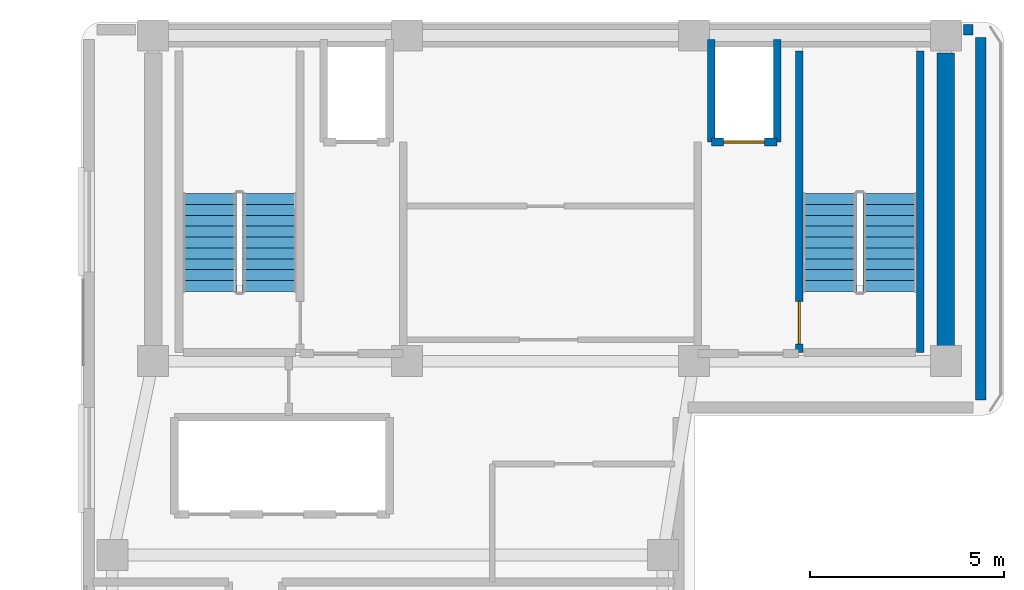
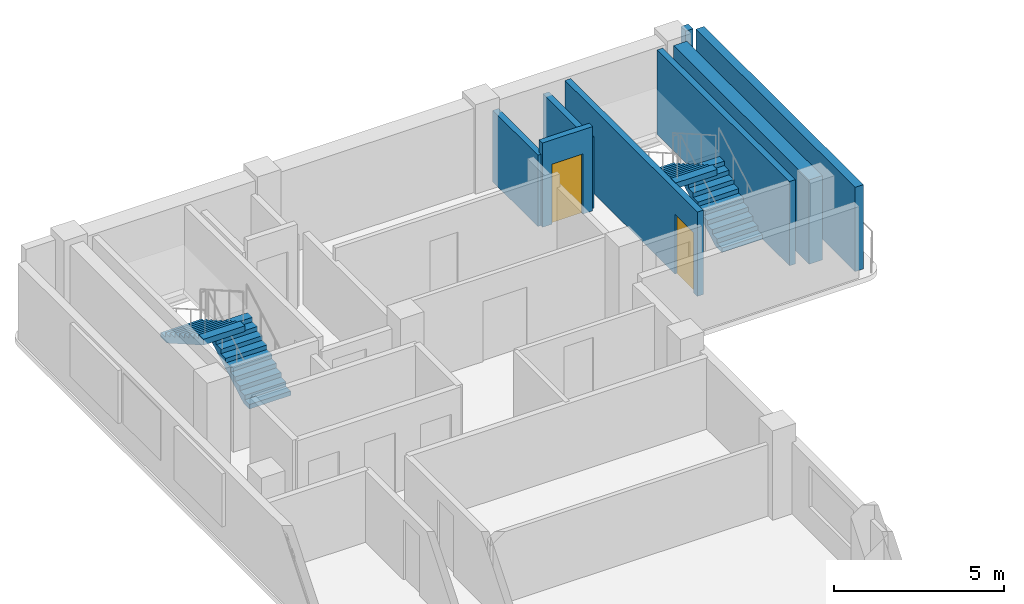
# One storey, part 9 of 11: 8 walls, 4 stair flights, 2 doors, 2 openings, 2 elements without a shape of their own.
"""IFC4 building model written with IfcOpenShell, lengths in metres."""

from ifc_helpers import new_model, si_unit, direction, frame, frame_2d, origin, place, context, subcontext, project, spatial, polyline, rectangle, outline, extrude, material, layer, layer_set, type_object, element, fill, aggregate, save


model = new_model("IFC4")

# Units and contexts
model_context = context("Model", 3, precision=1e-05, world=origin(), true_north=direction((0.0, 1.0)))
body_context = subcontext(model_context, "Body", "Model", "MODEL_VIEW")
ifc_project = project(units=[si_unit("LENGTHUNIT", "METRE"), si_unit("AREAUNIT", "SQUARE_METRE"), si_unit("VOLUMEUNIT", "CUBIC_METRE"), si_unit("PLANEANGLEUNIT", "RADIAN"), si_unit("MASSUNIT", "GRAM", prefix="KILO")], contexts=[model_context])

# Site, building, storey
site_placement = place(None, origin())
site = spatial("IfcSite", under=ifc_project, at=site_placement, CompositionType="ELEMENT")
building_placement = place(site_placement, origin())
building = spatial("IfcBuilding", under=site, at=building_placement, Name="Kuzgunbayir Cultural Tower", CompositionType="ELEMENT")
storey_placement = place(building_placement, frame((0.0, 0.0, 244.0)))
storey = spatial("IfcBuildingStorey", under=building, at=storey_placement, Name="L72", CompositionType="ELEMENT", Elevation=244.0)

# Walls
ifc_material_1 = material(Name="Concrete C50/60", Category="concrete")
ifc_layer_1 = layer(ifc_material_1, 0.449951171875)
ifc_layer_set_1 = layer_set([ifc_layer_1], Name="Concrete C50/60")
wall_type_1 = type_object("IfcWallType", Name="WAL-CORE-450", PredefinedType="SHEAR", material=ifc_layer_set_1)
wall_1_placement = place(storey_placement, frame((26.89990234375, 33.800048828125, 0.0), z_axis=(0.0, 0.0, 1.0), x_axis=(0.0, 1.0, 0.0)))
element("IfcWall", 1, at=wall_1_placement, inside=storey, type_object=wall_type_1, Name="L72 T1 Core East Shear Wall", PredefinedType="SHEAR", context=body_context, shape_type="SweptSolid", body=[
    extrude(rectangle(XDim=7.949951171875, YDim=0.449951171875, at=frame_2d((3.97509765625, 0.0))), origin(), (0.0, 0.0, 1.0), 3.02001953125),
])
ifc_material_2 = material(Name="Anatolian Cream Limestone", Category="masonry")
ifc_layer_2 = layer(ifc_material_2, 0.280029296875)
ifc_layer_set_2 = layer_set([ifc_layer_2], Name="Anatolian Cream Limestone")
wall_type_2 = type_object("IfcWallType", Name="WAL-EXT-STONE-280", PredefinedType="STANDARD", material=ifc_layer_set_2)
wall_2_placement = place(storey_placement, frame((27.60009765625, 42.35009765625, 0.0), z_axis=(0.0, 0.0, 1.0), x_axis=(-1.0, 0.0, 0.0)))
element("IfcWall", 2, at=wall_2_placement, inside=storey, type_object=wall_type_2, Name="L72 North Wing B Limestone Wall", PredefinedType="STANDARD", context=body_context, shape_type="SweptSolid", body=[
    extrude(rectangle(XDim=0.25, YDim=0.280029296875, at=frame_2d((0.125, 0.0))), origin(), (0.0, 0.0, 1.0), 3.02001953125),
])
wall_3_placement = place(storey_placement, frame((27.800048828125, 32.800048828125, 0.0), z_axis=(0.0, 0.0, 1.0), x_axis=(0.0, 1.0, 0.0)))
element("IfcWall", 3, at=wall_3_placement, inside=storey, type_object=wall_type_2, Name="L72 Rear Core East Limestone Wall", PredefinedType="STANDARD", context=body_context, shape_type="SweptSolid", body=[
    extrude(rectangle(XDim=9.349853515625, YDim=0.280029296875, at=frame_2d((4.6748046875, 0.0))), origin(), (0.0, 0.0, 1.0), 3.02001953125),
])

# Wall, opening, door
ifc_material_3 = material(Name="Concrete C40/50", Category="concrete")
ifc_layer_3 = layer(ifc_material_3, 0.199951171875)
ifc_layer_set_3 = layer_set([ifc_layer_3], Name="Concrete C40/50")
wall_type_3 = type_object("IfcWallType", Name="WAL-SHAFT-200", PredefinedType="MOVABLE", material=ifc_layer_set_3)
wall_4_placement = place(storey_placement, frame((20.85009765625, 39.449951171875, 0.0), z_axis=(0.0, 0.0, 1.0), x_axis=(1.0, 0.0, 0.0)))
wall_4 = element("IfcWall", 4, at=wall_4_placement, inside=storey, type_object=wall_type_3, Name="L72 FFL-2 Lift Front Wall", PredefinedType="MOVABLE", context=body_context, shape_type="SweptSolid", body=[
    extrude(rectangle(XDim=1.699951171875, YDim=0.199951171875, at=frame_2d((0.85009765625, 0.0))), origin(), (0.0, 0.0, 1.0), 3.02001953125),
])
opening_1_placement = place(wall_4_placement, frame((0.320068359375, 0.0, 0.0)))
opening_1 = element("IfcOpeningElement", 5, at=opening_1_placement, cuts=wall_4, Name="Opening LD", PredefinedType="OPENING", context=body_context, shape_type="SweptSolid", body=[
    extrude(rectangle(XDim=1.050048828125, YDim=2.14990234375, at=frame_2d((0.52490234375, 1.074951171875))), frame((0.0, 0.10986328125, 0.0), z_axis=(0.0, -1.0, 0.0), x_axis=(1.0, 0.0, 0.0)), (0.0, 0.0, 1.0), 0.219970703125),
])
ifc_material_4 = material(Name="Brushed Stainless Steel", Category="steel")
door_type_1 = type_object("IfcDoorType", Name="DR-LIFT-LANDING", OperationType="SLIDING_TO_LEFT", PredefinedType="DOOR", material=ifc_material_4)
door_1_placement = place(opening_1_placement, origin())
door_1 = element("IfcDoor", 6, at=door_1_placement, inside=storey, type_object=door_type_1, Name="L72 Lift FFL-2 Landing Door", OperationType="SLIDING_TO_LEFT", OverallHeight=2.14990234375, OverallWidth=1.050048828125, PredefinedType="DOOR", context=body_context, shape_type="SweptSolid", body=[
    extrude(rectangle(XDim=1.050048828125, YDim=2.14990234375, at=frame_2d((0.52490234375, 1.074951171875))), frame((0.0, 0.02490234375, 0.0), z_axis=(0.0, -1.0, 0.0), x_axis=(1.0, 0.0, 0.0)), (0.0, 0.0, 1.0), 0.050048828125),
])
fill(opening_1, door_1)

# Walls
for number, where, z_axis, x_axis, name in (
    (7, (20.85009765625, 39.449951171875, 0.0), (0.0, 0.0, 1.0), (0.0, 1.0, 0.0), "L72 FFL-2 Shaft West Wall"),
    (8, (22.550048828125, 39.449951171875, 0.0), (0.0, 0.0, 1.0), (0.0, 1.0, 0.0), "L72 FFL-2 Shaft East Wall"),
):
    element("IfcWall", number, at=place(storey_placement, frame(where, z_axis=z_axis, x_axis=x_axis)), inside=storey, type_object=wall_type_3, Name=name, PredefinedType="MOVABLE", context=body_context, shape_type="SweptSolid", body=[
        extrude(rectangle(XDim=2.650146484375, YDim=0.199951171875, at=frame_2d((1.3251953125, 0.0))), origin(), (0.0, 0.0, 1.0), 2.56005859375),
    ])

# Wall, opening, door
ifc_layer_4 = layer(ifc_material_3, 0.199951171875)
ifc_layer_set_4 = layer_set([ifc_layer_4], Name="Concrete C40/50")
wall_type_4 = type_object("IfcWallType", Name="WAL-STAIR-RC-200", PredefinedType="SHEAR", material=ifc_layer_set_4)
wall_5_placement = place(storey_placement, frame((23.1201171875, 34.02001953125, 0.0), z_axis=(0.0, 0.0, 1.0), x_axis=(0.0, 1.0, 0.0)))
wall_5 = element("IfcWall", 9, at=wall_5_placement, inside=storey, type_object=wall_type_4, Name="L72 Stair ST-2 West Structural Wall", PredefinedType="SHEAR", context=body_context, shape_type="SweptSolid", body=[
    extrude(rectangle(XDim=7.780029296875, YDim=0.199951171875, at=frame_2d((3.89013671875, 0.0))), origin(), (0.0, 0.0, 1.0), 3.02001953125),
])
opening_2_placement = place(wall_5_placement, frame((0.219970703125, 0.0, 0.0)))
opening_2 = element("IfcOpeningElement", 10, at=opening_2_placement, cuts=wall_5, Name="Opening DR-STAIR-90", PredefinedType="OPENING", context=body_context, shape_type="SweptSolid", body=[
    extrude(rectangle(XDim=1.10009765625, YDim=2.14990234375, at=frame_2d((0.550048828125, 1.074951171875))), frame((0.0, 0.10986328125, 0.0), z_axis=(0.0, -1.0, 0.0), x_axis=(1.0, 0.0, 0.0)), (0.0, 0.0, 1.0), 0.219970703125),
])
ifc_material_5 = material(Name="Steel S355J2", Category="steel")
door_type_2 = type_object("IfcDoorType", Name="DR-STAIR-90", OperationType="NOTDEFINED", PredefinedType="DOOR", material=ifc_material_5)
door_2_placement = place(opening_2_placement, origin())
door_2 = element("IfcDoor", 11, at=door_2_placement, inside=storey, type_object=door_type_2, Name="L72 Stair ST-2 Fire Door", OperationType="SINGLE_SWING_RIGHT", OverallHeight=2.14990234375, OverallWidth=1.10009765625, PredefinedType="DOOR", context=body_context, shape_type="SweptSolid", body=[
    extrude(rectangle(XDim=1.10009765625, YDim=2.14990234375, at=frame_2d((0.550048828125, 1.074951171875))), frame((0.0, 0.02490234375, 0.0), z_axis=(0.0, -1.0, 0.0), x_axis=(1.0, 0.0, 0.0)), (0.0, 0.0, 1.0), 0.050048828125),
])
fill(opening_2, door_2)

# Wall
wall_6_placement = place(storey_placement, frame((26.239990234375, 34.02001953125, 0.0), z_axis=(0.0, 0.0, 1.0), x_axis=(0.0, 1.0, 0.0)))
element("IfcWall", 12, at=wall_6_placement, inside=storey, type_object=wall_type_4, Name="L72 Stair ST-2 East Structural Wall", PredefinedType="SHEAR", context=body_context, shape_type="SweptSolid", body=[
    extrude(rectangle(XDim=7.780029296875, YDim=0.199951171875, at=frame_2d((3.89013671875, 0.0))), origin(), (0.0, 0.0, 1.0), 3.02001953125),
])

# Stair, stair flights
stair_type = type_object("IfcStairType", Name="STR-EXIT-CORE", PredefinedType="HALF_TURN_STAIR", material=ifc_material_3)
stair_1_placement = place(storey_placement, origin())
stair_1 = element("IfcStair", 13, at=stair_1_placement, inside=storey, type_object=stair_type, Name="L72 ST-1", PredefinedType="HALF_TURN_STAIR")
stair_flight_type = type_object("IfcStairFlightType", Name="STRF-RC-140", PredefinedType="STRAIGHT", material=ifc_material_3)
stair_flight_1_placement = place(storey_placement, frame((9.4599609375, 35.60009765625, 0.0), z_axis=(0.0, 0.0, 1.0), x_axis=(0.0, 1.0, 0.0)))
stair_flight_1 = element("IfcStairFlight", 14, at=stair_flight_1_placement, type_object=stair_flight_type, Name="ST-1 flight 1", NumberOfRisers=10, NumberOfTreads=9, PredefinedType="STRAIGHT", RiserHeight=0.16, TreadLength=0.28, context=body_context, shape_type="SweptSolid", body=[
    extrude(outline(polyline([(0.0, 0.0), (0.0, 0.159912109375), (0.280029296875, 0.159912109375), (0.280029296875, 0.320068359375), (0.56005859375, 0.320068359375), (0.56005859375, 0.47998046875), (0.840087890625, 0.47998046875), (0.840087890625, 0.639892578125), (1.1201171875, 0.639892578125), (1.1201171875, 0.800048828125), (1.39990234375, 0.800048828125), (1.39990234375, 0.9599609375), (1.679931640625, 0.9599609375), (1.679931640625, 1.1201171875), (1.9599609375, 1.1201171875), (1.9599609375, 1.280029296875), (2.239990234375, 1.280029296875), (2.239990234375, 1.43994140625), (2.52001953125, 1.43994140625), (2.52001953125, 1.60009765625), (2.52001953125, 1.232666015625), (0.362548828125, 0.0), (0.0, 0.0)])), frame((0.0, 0.699951171875, 0.0), z_axis=(0.0, -1.0, 0.0), x_axis=(1.0, 0.0, 0.0)), (0.0, 0.0, 1.0), 1.39990234375),
])
stair_flight_2_placement = place(storey_placement, frame((7.89990234375, 38.1201171875, 1.60009765625), z_axis=(0.0, 0.0, 1.0), x_axis=(0.0, -1.0, 0.0)))
stair_flight_2 = element("IfcStairFlight", 15, at=stair_flight_2_placement, type_object=stair_flight_type, Name="ST-1 flight 2", NumberOfRisers=10, NumberOfTreads=9, PredefinedType="STRAIGHT", RiserHeight=0.16, TreadLength=0.28, context=body_context, shape_type="SweptSolid", body=[
    extrude(outline(polyline([(0.0, 0.0), (0.0, 0.159912109375), (0.280029296875, 0.159912109375), (0.280029296875, 0.320068359375), (0.56005859375, 0.320068359375), (0.56005859375, 0.47998046875), (0.840087890625, 0.47998046875), (0.840087890625, 0.639892578125), (1.1201171875, 0.639892578125), (1.1201171875, 0.800048828125), (1.39990234375, 0.800048828125), (1.39990234375, 0.9599609375), (1.679931640625, 0.9599609375), (1.679931640625, 1.1201171875), (1.9599609375, 1.1201171875), (1.9599609375, 1.280029296875), (2.239990234375, 1.280029296875), (2.239990234375, 1.43994140625), (2.52001953125, 1.43994140625), (2.52001953125, 1.60009765625), (2.52001953125, 1.232666015625), (0.362548828125, 0.0), (0.0, 0.0)])), frame((0.0, 0.699951171875, 0.0), z_axis=(0.0, -1.0, 0.0), x_axis=(1.0, 0.0, 0.0)), (0.0, 0.0, 1.0), 1.39990234375),
])
aggregate(stair_1, [stair_flight_1, stair_flight_2])

stair_2_placement = place(storey_placement, origin())
stair_2 = element("IfcStair", 16, at=stair_2_placement, inside=storey, type_object=stair_type, Name="L72 ST-2", PredefinedType="HALF_TURN_STAIR")
stair_flight_3_placement = place(storey_placement, frame((25.4599609375, 35.60009765625, 0.0), z_axis=(0.0, 0.0, 1.0), x_axis=(0.0, 1.0, 0.0)))
stair_flight_3 = element("IfcStairFlight", 17, at=stair_flight_3_placement, type_object=stair_flight_type, Name="ST-2 flight 1", NumberOfRisers=10, NumberOfTreads=9, PredefinedType="STRAIGHT", RiserHeight=0.16, TreadLength=0.28, context=body_context, shape_type="SweptSolid", body=[
    extrude(outline(polyline([(0.0, 0.0), (0.0, 0.159912109375), (0.280029296875, 0.159912109375), (0.280029296875, 0.320068359375), (0.56005859375, 0.320068359375), (0.56005859375, 0.47998046875), (0.840087890625, 0.47998046875), (0.840087890625, 0.639892578125), (1.1201171875, 0.639892578125), (1.1201171875, 0.800048828125), (1.39990234375, 0.800048828125), (1.39990234375, 0.9599609375), (1.679931640625, 0.9599609375), (1.679931640625, 1.1201171875), (1.9599609375, 1.1201171875), (1.9599609375, 1.280029296875), (2.239990234375, 1.280029296875), (2.239990234375, 1.43994140625), (2.52001953125, 1.43994140625), (2.52001953125, 1.60009765625), (2.52001953125, 1.232666015625), (0.362548828125, 0.0), (0.0, 0.0)])), frame((0.0, 0.699951171875, 0.0), z_axis=(0.0, -1.0, 0.0), x_axis=(1.0, 0.0, 0.0)), (0.0, 0.0, 1.0), 1.39990234375),
])
stair_flight_4_placement = place(storey_placement, frame((23.89990234375, 38.1201171875, 1.60009765625), z_axis=(0.0, 0.0, 1.0), x_axis=(0.0, -1.0, 0.0)))
stair_flight_4 = element("IfcStairFlight", 18, at=stair_flight_4_placement, type_object=stair_flight_type, Name="ST-2 flight 2", NumberOfRisers=10, NumberOfTreads=9, PredefinedType="STRAIGHT", RiserHeight=0.16, TreadLength=0.28, context=body_context, shape_type="SweptSolid", body=[
    extrude(outline(polyline([(0.0, 0.0), (0.0, 0.159912109375), (0.280029296875, 0.159912109375), (0.280029296875, 0.320068359375), (0.56005859375, 0.320068359375), (0.56005859375, 0.47998046875), (0.840087890625, 0.47998046875), (0.840087890625, 0.639892578125), (1.1201171875, 0.639892578125), (1.1201171875, 0.800048828125), (1.39990234375, 0.800048828125), (1.39990234375, 0.9599609375), (1.679931640625, 0.9599609375), (1.679931640625, 1.1201171875), (1.9599609375, 1.1201171875), (1.9599609375, 1.280029296875), (2.239990234375, 1.280029296875), (2.239990234375, 1.43994140625), (2.52001953125, 1.43994140625), (2.52001953125, 1.60009765625), (2.52001953125, 1.232666015625), (0.362548828125, 0.0), (0.0, 0.0)])), frame((0.0, 0.699951171875, 0.0), z_axis=(0.0, -1.0, 0.0), x_axis=(1.0, 0.0, 0.0)), (0.0, 0.0, 1.0), 1.39990234375),
])
aggregate(stair_2, [stair_flight_3, stair_flight_4])

save(model, "model.ifc")
